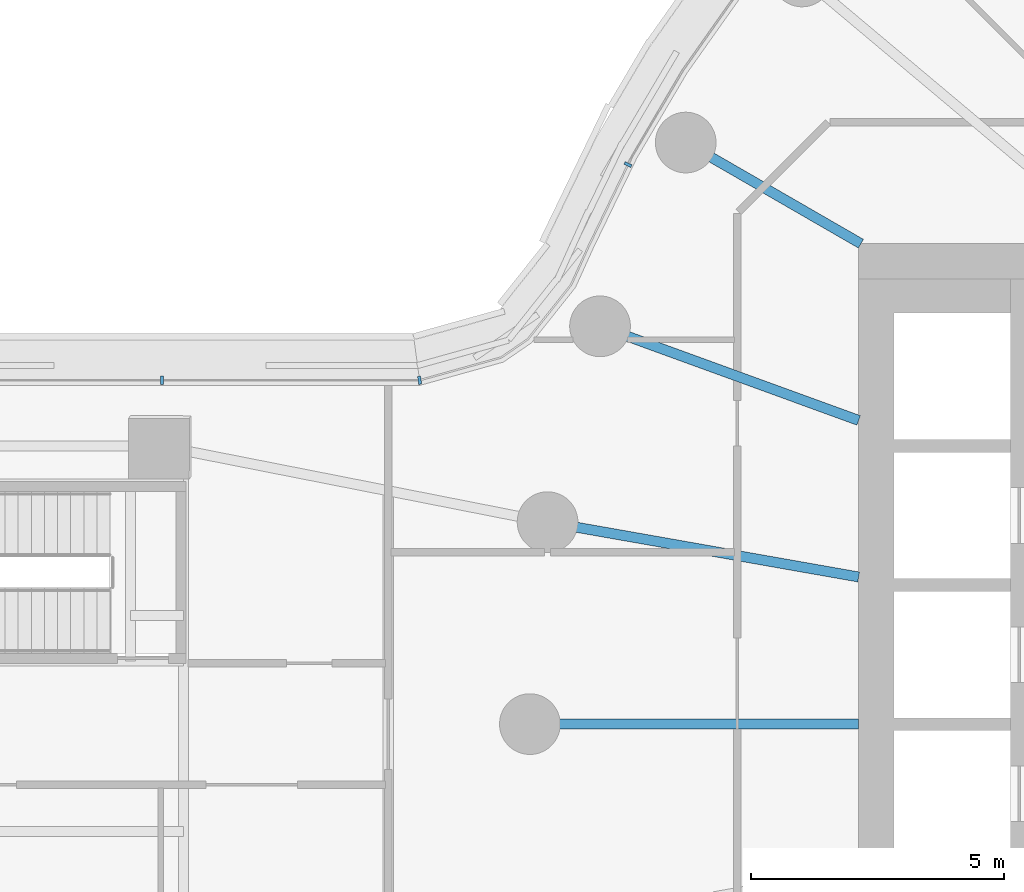
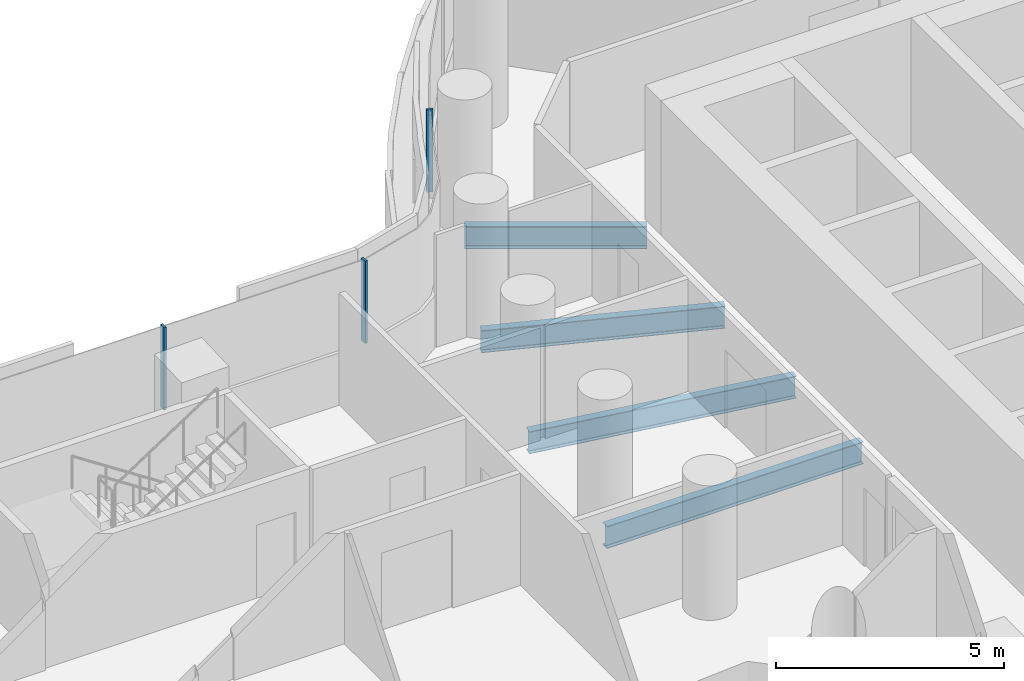
# One storey, part 7 of 32: 4 beams, 3 members, 2 elements without a shape of their own.
"""IFC4 building model written with IfcOpenShell, lengths in metres."""

from ifc_helpers import new_model, si_unit, direction, frame, origin, origin_2d, place, context, subcontext, project, spatial, rectangle, i_section, extrude, material, layer, layer_set, material_profile, profile_set, type_object, element, aggregate, save


model = new_model("IFC4")

# Units and contexts
model_context = context("Model", 3, precision=1e-05, world=origin(), true_north=direction((0.0, 1.0)))
body_context = subcontext(model_context, "Body", "Model", "MODEL_VIEW")
ifc_project = project(units=[si_unit("LENGTHUNIT", "METRE"), si_unit("AREAUNIT", "SQUARE_METRE"), si_unit("VOLUMEUNIT", "CUBIC_METRE"), si_unit("PLANEANGLEUNIT", "RADIAN"), si_unit("MASSUNIT", "GRAM", prefix="KILO")], contexts=[model_context])

# Site, building, storey
site_placement = place(None, origin())
site = spatial("IfcSite", under=ifc_project, at=site_placement, CompositionType="ELEMENT")
building_placement = place(site_placement, origin())
building = spatial("IfcBuilding", under=site, at=building_placement, Name="Tamarind Cross Interchange Tower", CompositionType="ELEMENT")
storey_placement = place(building_placement, frame((0.0, 0.0, 34.0)))
storey = spatial("IfcBuildingStorey", under=building, at=storey_placement, Name="L06", CompositionType="ELEMENT", Elevation=34.0)

# Beams
ifc_material_1 = material(Name="Steel Q355B", Category="steel")
ifc_material_profile_1 = material_profile(ifc_material_1, i_section(OverallWidth=0.198974609375, OverallDepth=0.595947265625, WebThickness=0.010009765625, FlangeThickness=0.014892578125, FilletRadius=0.012939453125, at=origin_2d()), Name="HN 596x199x10x15")
ifc_profile_set_1 = profile_set([ifc_material_profile_1], Name="Steel Q355B")
beam_type = type_object("IfcBeamType", Name="Composite beam HN 596x199x10x15 Q355B", PredefinedType="BEAM", material=ifc_profile_set_1)
beam_1_placement = place(storey_placement, frame((-19.918701171875, 11.5, -0.43798828125), z_axis=(0.866026010844, -0.49999894854, 0.0), x_axis=(0.49999894854, 0.866026010844, 0.0)))
element("IfcBeam", 1, at=beam_1_placement, inside=storey, type_object=beam_type, Name="Beam HH15", PredefinedType="BEAM", context=body_context, shape_type="SweptSolid", body=[
    extrude(i_section(OverallWidth=0.198974609375, OverallDepth=0.595947265625, WebThickness=0.010009765625, FlangeThickness=0.014892578125, FilletRadius=0.012939453125, at=origin_2d()), origin(), (0.0, 0.0, 1.0), 4.0),
])
beam_2_placement = place(storey_placement, frame((-21.613037109375, 7.866455078125, -0.43798828125), z_axis=(0.939701685589, -0.341995236956, 0.0), x_axis=(0.341995236956, 0.939701685589, 0.0)))
element("IfcBeam", 2, at=beam_2_placement, inside=storey, type_object=beam_type, Name="Beam HH16", PredefinedType="BEAM", context=body_context, shape_type="SweptSolid", body=[
    extrude(i_section(OverallWidth=0.198974609375, OverallDepth=0.595947265625, WebThickness=0.010009765625, FlangeThickness=0.014892578125, FilletRadius=0.012939453125, at=origin_2d()), origin(), (0.0, 0.0, 1.0), 5.441162109375),
])
beam_3_placement = place(storey_placement, frame((-22.650634765625, 3.993896484375, -0.43798828125), z_axis=(0.984809127561, -0.173640382036, 0.0), x_axis=(0.173640382036, 0.984809127561, 0.0)))
element("IfcBeam", 3, at=beam_3_placement, inside=storey, type_object=beam_type, Name="Beam HH17", PredefinedType="BEAM", context=body_context, shape_type="SweptSolid", body=[
    extrude(i_section(OverallWidth=0.198974609375, OverallDepth=0.595947265625, WebThickness=0.010009765625, FlangeThickness=0.014892578125, FilletRadius=0.012939453125, at=origin_2d()), origin(), (0.0, 0.0, 1.0), 6.24560546875),
])
beam_4_placement = place(storey_placement, frame((-23.0, 0.0, -0.43798828125), z_axis=(1.0, 0.0, 0.0), x_axis=(0.0, 1.0, 0.0)))
element("IfcBeam", 4, at=beam_4_placement, inside=storey, type_object=beam_type, Name="Beam HH18", PredefinedType="BEAM", context=body_context, shape_type="SweptSolid", body=[
    extrude(i_section(OverallWidth=0.198974609375, OverallDepth=0.595947265625, WebThickness=0.010009765625, FlangeThickness=0.014892578125, FilletRadius=0.012939453125, at=origin_2d()), origin(), (0.0, 0.0, 1.0), 6.5),
])

# Curtain wall, members
ifc_material_2 = material(Name="Aluminium 6063-T6", Category="aluminium")
ifc_layer_1 = layer(ifc_material_2, 0.159912109375)
ifc_layer_set_1 = layer_set([ifc_layer_1], Name="Aluminium 6063-T6")
curtain_wall_type_1 = type_object("IfcCurtainWallType", Name="Office curtain wall, 9.0 m bays", PredefinedType="NOTDEFINED", material=ifc_layer_set_1)
curtain_wall_1_placement = place(storey_placement, origin())
curtain_wall_1 = element("IfcCurtainWall", 5, at=curtain_wall_1_placement, inside=storey, type_object=curtain_wall_type_1, Name="CWS-L06-00", PredefinedType="NOTDEFINED")
ifc_material_profile_2 = material_profile(ifc_material_2, rectangle(XDim=0.06005859375, YDim=0.159912109375, at=origin_2d()), Name="Mullion CW1")
ifc_profile_set_2 = profile_set([ifc_material_profile_2], Name="Aluminium 6063-T6")
member_type_1 = type_object("IfcMemberType", Name="Mullion CW1", PredefinedType="MULLION", material=ifc_profile_set_2)
member_1_placement = place(storey_placement, frame((-25.181396484375, 6.800048828125, 1.39990234375), z_axis=(0.0, 0.0, 1.0), x_axis=(-0.990751463771, -0.135689119078, 0.0)))
member_1 = element("IfcMember", 6, at=member_1_placement, type_object=member_type_1, Name="CWM-L06-00-00", PredefinedType="MULLION", context=body_context, shape_type="SweptSolid", body=[
    extrude(rectangle(XDim=0.06005859375, YDim=0.159912109375, at=origin_2d()), origin(), (0.0, 0.0, 1.0), 2.210205078125),
])
member_2_placement = place(storey_placement, frame((-30.27294921875, 6.800048828125, 1.39990234375), z_axis=(0.0, 0.0, 1.0), x_axis=(-1.0, 0.0, 0.0)))
member_2 = element("IfcMember", 7, at=member_2_placement, type_object=member_type_1, Name="CWM-L06-00-01", PredefinedType="MULLION", context=body_context, shape_type="SweptSolid", body=[
    extrude(rectangle(XDim=0.06005859375, YDim=0.159912109375, at=origin_2d()), origin(), (0.0, 0.0, 1.0), 2.210205078125),
])
aggregate(curtain_wall_1, [member_1, member_2])

# Curtain wall, member
ifc_layer_2 = layer(ifc_material_2, 0.14990234375)
ifc_layer_set_2 = layer_set([ifc_layer_2], Name="Aluminium 6063-T6")
curtain_wall_type_2 = type_object("IfcCurtainWallType", Name="Winter garden and crown curtain wall", PredefinedType="NOTDEFINED", material=ifc_layer_set_2)
curtain_wall_2_placement = place(storey_placement, origin())
curtain_wall_2 = element("IfcCurtainWall", 8, at=curtain_wall_2_placement, inside=storey, type_object=curtain_wall_type_2, Name="CWS-L06-15", PredefinedType="NOTDEFINED")
ifc_material_profile_3 = material_profile(ifc_material_2, rectangle(XDim=0.06005859375, YDim=0.14990234375, at=origin_2d()), Name="Mullion CW6")
ifc_profile_set_3 = profile_set([ifc_material_profile_3], Name="Aluminium 6063-T6")
member_type_2 = type_object("IfcMemberType", Name="Mullion CW6", PredefinedType="MULLION", material=ifc_profile_set_3)
member_3_placement = place(storey_placement, frame((-21.059326171875, 11.063720703125, 1.39990234375), z_axis=(0.0, 0.0, 1.0), x_axis=(-0.435326231914, -0.900272776334, 0.0)))
member_3 = element("IfcMember", 9, at=member_3_placement, type_object=member_type_2, Name="CWM-L06-15-04", PredefinedType="MULLION", context=body_context, shape_type="SweptSolid", body=[
    extrude(rectangle(XDim=0.06005859375, YDim=0.14990234375, at=origin_2d()), origin(), (0.0, 0.0, 1.0), 2.210205078125),
])
aggregate(curtain_wall_2, [member_3])

save(model, "model.ifc")
